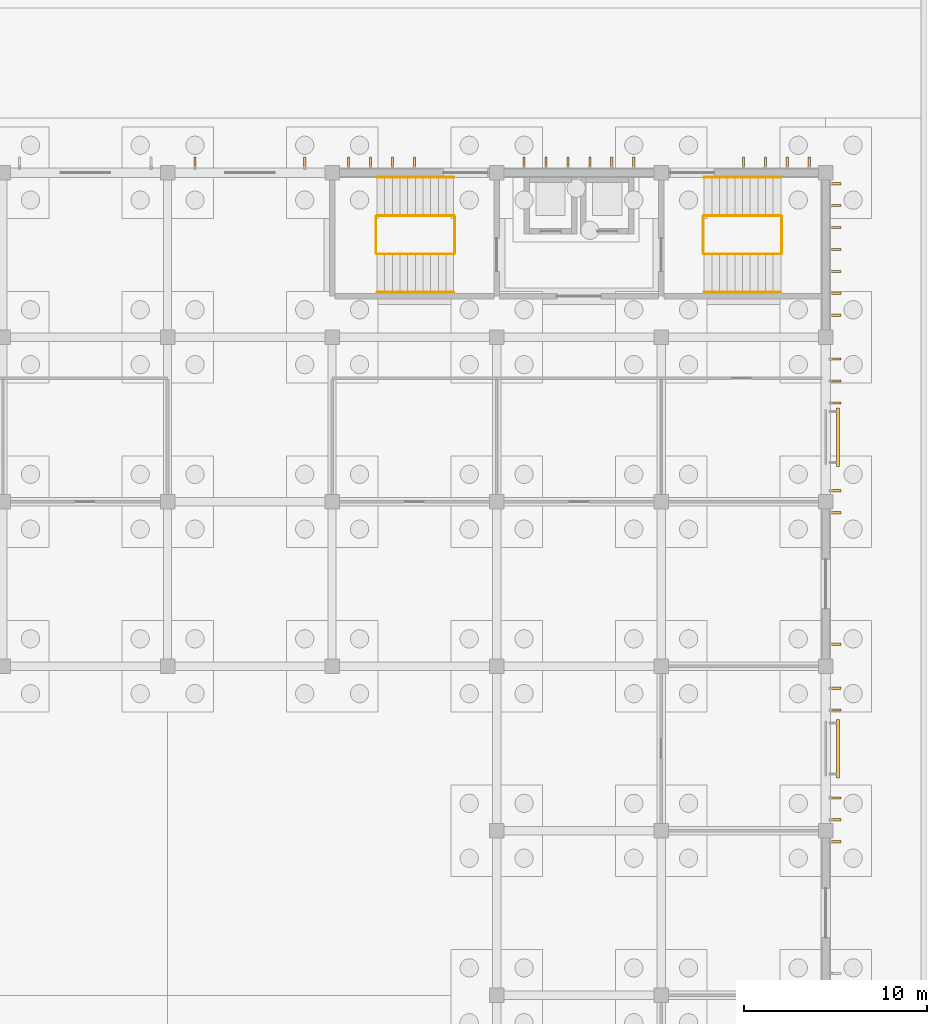
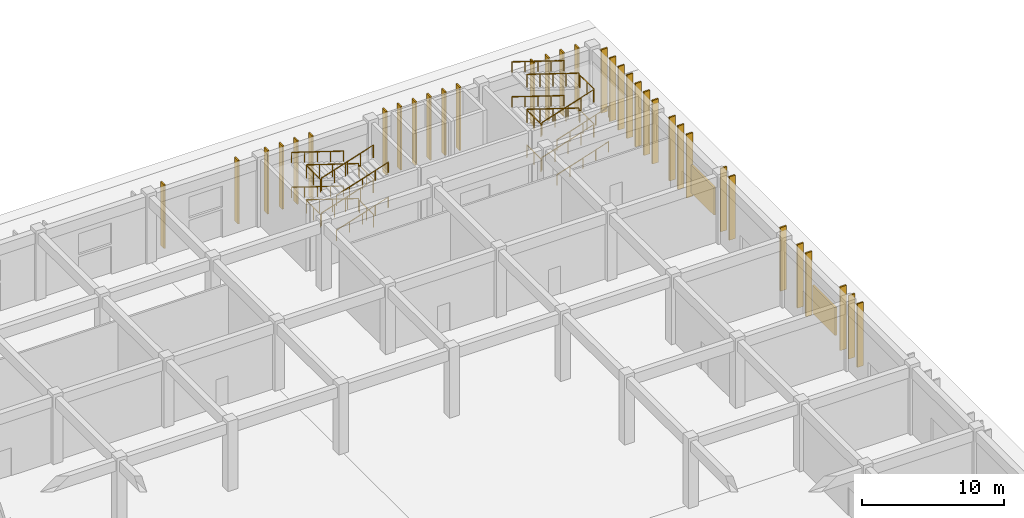
# One storey, part 197 of 198: 34 coverings, 24 railings, 2 shading devices.
"""IFC4 building model written with IfcOpenShell, lengths in metres."""

from ifc_helpers import new_model, si_unit, direction, frame, origin, origin_2d, place, context, subcontext, project, spatial, rectangle, circle, extrude, material, layer, layer_set, constituent, constituent_set, type_object, element, save


model = new_model("IFC4")

# Units and contexts
model_context = context("Model", 3, precision=1e-05, world=origin(), true_north=direction((0.0, 1.0)))
body_context = subcontext(model_context, "Body", "Model", "MODEL_VIEW")
ifc_project = project(units=[si_unit("LENGTHUNIT", "METRE"), si_unit("AREAUNIT", "SQUARE_METRE"), si_unit("VOLUMEUNIT", "CUBIC_METRE"), si_unit("PLANEANGLEUNIT", "RADIAN"), si_unit("MASSUNIT", "GRAM", prefix="KILO")], contexts=[model_context])

# Site, building, storey
site_placement = place(None, origin())
site = spatial("IfcSite", under=ifc_project, at=site_placement, CompositionType="ELEMENT")
building_placement = place(site_placement, origin())
building = spatial("IfcBuilding", under=site, at=building_placement, Name="Opaline Strait Convention Centre", CompositionType="ELEMENT")
storey_placement = place(building_placement, origin())
storey = spatial("IfcBuildingStorey", under=building, at=storey_placement, Name="L00", CompositionType="ELEMENT", Elevation=0.0)

# Railings
ifc_material_1 = material(Name="Steel Q235B", Category="steel")
ifc_constituent_1 = constituent(ifc_material_1, Name="Frame")
ifc_material_2 = material(Name="Safety glass, bonded interlayer", Category="glass")
ifc_constituent_2 = constituent(ifc_material_2, Name="Infill")
ifc_constituent_set = constituent_set(constituents=[ifc_constituent_1, ifc_constituent_2], Name="Steel Q235B, Safety glass, bonded interlayer")
railing_type_1 = type_object("IfcRailingType", Name="Guard 1100 steel and glass", PredefinedType="GUARDRAIL", material=ifc_constituent_set)
railing_1_placement = place(storey_placement, frame((353.349853515625, 175.5498046875, 0.136474609375)))
element("IfcRailing", 1, at=railing_1_placement, inside=storey, type_object=railing_type_1, Name="L00 S7 stair guard 1", PredefinedType="GUARDRAIL", context=body_context, shape_type="SweptSolid", body=[
    extrude(circle(Radius=0.02392578125, at=origin_2d()), frame((0.0, 0.0, 1.076171875), z_axis=(0.951131128591, 0.0, 0.308787266941), x_axis=(0.0, 1.0, 0.0)), (0.0, 0.0, 1.0), 4.415771484375),
    extrude(circle(Radius=0.02099609375, at=origin_2d()), origin(), (0.0, 0.0, 1.0), 1.052001953125),
    extrude(circle(Radius=0.02099609375, at=origin_2d()), frame((1.050048828125, 0.0, 0.3408203125)), (0.0, 0.0, 1.0), 1.052001953125),
    extrude(circle(Radius=0.02099609375, at=origin_2d()), frame((2.10009765625, 0.0, 0.681640625)), (0.0, 0.0, 1.0), 1.052001953125),
    extrude(circle(Radius=0.02099609375, at=origin_2d()), frame((3.14990234375, 0.0, 1.022705078125)), (0.0, 0.0, 1.0), 1.052001953125),
    extrude(circle(Radius=0.02099609375, at=origin_2d()), frame((4.199951171875, 0.0, 1.363525390625)), (0.0, 0.0, 1.0), 1.052001953125),
])
railing_2_placement = place(storey_placement, frame((357.599853515625, 175.599853515625, 1.5)))
element("IfcRailing", 2, at=railing_2_placement, inside=storey, type_object=railing_type_1, Name="L00 S7 stair guard 2", PredefinedType="GUARDRAIL", context=body_context, shape_type="SweptSolid", body=[
    extrude(circle(Radius=0.02392578125, at=origin_2d()), frame((0.0, 0.0, 1.076171875), z_axis=(0.0, 1.0, 0.0), x_axis=(-1.0, 0.0, 0.0)), (0.0, 0.0, 1.0), 2.0),
    extrude(circle(Radius=0.02099609375, at=origin_2d()), origin(), (0.0, 0.0, 1.0), 1.052001953125),
    extrude(circle(Radius=0.02099609375, at=origin_2d()), frame((0.0, 1.0, 0.0)), (0.0, 0.0, 1.0), 1.052001953125),
    extrude(circle(Radius=0.02099609375, at=origin_2d()), frame((0.0, 2.0, 0.0)), (0.0, 0.0, 1.0), 1.052001953125),
])
railing_3_placement = place(storey_placement, frame((357.5498046875, 177.64990234375, 1.636474609375)))
element("IfcRailing", 3, at=railing_3_placement, inside=storey, type_object=railing_type_1, Name="L00 S7 stair guard 3", PredefinedType="GUARDRAIL", context=body_context, shape_type="SweptSolid", body=[
    extrude(circle(Radius=0.02392578125, at=origin_2d()), frame((0.0, 0.0, 1.076171875), z_axis=(-0.951131128591, 0.0, 0.308787266941), x_axis=(0.0, -1.0, 0.0)), (0.0, 0.0, 1.0), 4.415771484375),
    extrude(circle(Radius=0.02099609375, at=origin_2d()), origin(), (0.0, 0.0, 1.0), 1.052001953125),
    extrude(circle(Radius=0.02099609375, at=origin_2d()), frame((-1.050048828125, 0.0, 0.3408203125)), (0.0, 0.0, 1.0), 1.052001953125),
    extrude(circle(Radius=0.02099609375, at=origin_2d()), frame((-2.10009765625, 0.0, 0.681640625)), (0.0, 0.0, 1.0), 1.052001953125),
    extrude(circle(Radius=0.02099609375, at=origin_2d()), frame((-3.14990234375, 0.0, 1.022705078125)), (0.0, 0.0, 1.0), 1.052001953125),
    extrude(circle(Radius=0.02099609375, at=origin_2d()), frame((-4.199951171875, 0.0, 1.363525390625)), (0.0, 0.0, 1.0), 1.052001953125),
])
railing_4_placement = place(storey_placement, frame((353.2998046875, 175.599853515625, 3.0)))
element("IfcRailing", 4, at=railing_4_placement, inside=storey, type_object=railing_type_1, Name="L00 S7 stair guard 4", PredefinedType="GUARDRAIL", context=body_context, shape_type="SweptSolid", body=[
    extrude(circle(Radius=0.02392578125, at=origin_2d()), frame((0.0, 0.0, 1.076171875), z_axis=(0.0, 1.0, 0.0), x_axis=(-1.0, 0.0, 0.0)), (0.0, 0.0, 1.0), 2.0),
    extrude(circle(Radius=0.02099609375, at=origin_2d()), origin(), (0.0, 0.0, 1.0), 1.052001953125),
    extrude(circle(Radius=0.02099609375, at=origin_2d()), frame((0.0, 1.0, 0.0)), (0.0, 0.0, 1.0), 1.052001953125),
    extrude(circle(Radius=0.02099609375, at=origin_2d()), frame((0.0, 2.0, 0.0)), (0.0, 0.0, 1.0), 1.052001953125),
])
railing_5_placement = place(storey_placement, frame((353.349853515625, 175.5498046875, 3.136474609375)))
element("IfcRailing", 5, at=railing_5_placement, inside=storey, type_object=railing_type_1, Name="L00 S7 stair guard 5", PredefinedType="GUARDRAIL", context=body_context, shape_type="SweptSolid", body=[
    extrude(circle(Radius=0.02392578125, at=origin_2d()), frame((0.0, 0.0, 1.076171875), z_axis=(0.951131128591, 0.0, 0.308787266941), x_axis=(0.0, 1.0, 0.0)), (0.0, 0.0, 1.0), 4.415771484375),
    extrude(circle(Radius=0.02099609375, at=origin_2d()), origin(), (0.0, 0.0, 1.0), 1.052001953125),
    extrude(circle(Radius=0.02099609375, at=origin_2d()), frame((1.050048828125, 0.0, 0.3408203125)), (0.0, 0.0, 1.0), 1.052001953125),
    extrude(circle(Radius=0.02099609375, at=origin_2d()), frame((2.10009765625, 0.0, 0.681640625)), (0.0, 0.0, 1.0), 1.052001953125),
    extrude(circle(Radius=0.02099609375, at=origin_2d()), frame((3.14990234375, 0.0, 1.022705078125)), (0.0, 0.0, 1.0), 1.052001953125),
    extrude(circle(Radius=0.02099609375, at=origin_2d()), frame((4.199951171875, 0.0, 1.363525390625)), (0.0, 0.0, 1.0), 1.052001953125),
])
railing_6_placement = place(storey_placement, frame((357.599853515625, 175.599853515625, 4.5)))
element("IfcRailing", 6, at=railing_6_placement, inside=storey, type_object=railing_type_1, Name="L00 S7 stair guard 6", PredefinedType="GUARDRAIL", context=body_context, shape_type="SweptSolid", body=[
    extrude(circle(Radius=0.02392578125, at=origin_2d()), frame((0.0, 0.0, 1.076171875), z_axis=(0.0, 1.0, 0.0), x_axis=(-1.0, 0.0, 0.0)), (0.0, 0.0, 1.0), 2.0),
    extrude(circle(Radius=0.02099609375, at=origin_2d()), origin(), (0.0, 0.0, 1.0), 1.052001953125),
    extrude(circle(Radius=0.02099609375, at=origin_2d()), frame((0.0, 1.0, 0.0)), (0.0, 0.0, 1.0), 1.052001953125),
    extrude(circle(Radius=0.02099609375, at=origin_2d()), frame((0.0, 2.0, 0.0)), (0.0, 0.0, 1.0), 1.052001953125),
])
railing_7_placement = place(storey_placement, frame((357.5498046875, 177.64990234375, 4.636474609375)))
element("IfcRailing", 7, at=railing_7_placement, inside=storey, type_object=railing_type_1, Name="L00 S7 stair guard 7", PredefinedType="GUARDRAIL", context=body_context, shape_type="SweptSolid", body=[
    extrude(circle(Radius=0.02392578125, at=origin_2d()), frame((0.0, 0.0, 1.076171875), z_axis=(-0.951131128591, 0.0, 0.308787266941), x_axis=(0.0, -1.0, 0.0)), (0.0, 0.0, 1.0), 4.415771484375),
    extrude(circle(Radius=0.02099609375, at=origin_2d()), origin(), (0.0, 0.0, 1.0), 1.052001953125),
    extrude(circle(Radius=0.02099609375, at=origin_2d()), frame((-1.050048828125, 0.0, 0.3408203125)), (0.0, 0.0, 1.0), 1.052001953125),
    extrude(circle(Radius=0.02099609375, at=origin_2d()), frame((-2.10009765625, 0.0, 0.681640625)), (0.0, 0.0, 1.0), 1.052001953125),
    extrude(circle(Radius=0.02099609375, at=origin_2d()), frame((-3.14990234375, 0.0, 1.022705078125)), (0.0, 0.0, 1.0), 1.052001953125),
    extrude(circle(Radius=0.02099609375, at=origin_2d()), frame((-4.199951171875, 0.0, 1.363525390625)), (0.0, 0.0, 1.0), 1.052001953125),
])
railing_8_placement = place(storey_placement, frame((353.2998046875, 175.599853515625, 0.0)))
element("IfcRailing", 8, at=railing_8_placement, inside=storey, type_object=railing_type_1, Name="L00 S7 stair guard 8", PredefinedType="GUARDRAIL", context=body_context, shape_type="SweptSolid", body=[
    extrude(circle(Radius=0.02392578125, at=origin_2d()), frame((0.0, 0.0, 1.076171875), z_axis=(0.0, 1.0, 0.0), x_axis=(-1.0, 0.0, 0.0)), (0.0, 0.0, 1.0), 2.0),
    extrude(circle(Radius=0.02099609375, at=origin_2d()), origin(), (0.0, 0.0, 1.0), 1.052001953125),
    extrude(circle(Radius=0.02099609375, at=origin_2d()), frame((0.0, 1.0, 0.0)), (0.0, 0.0, 1.0), 1.052001953125),
    extrude(circle(Radius=0.02099609375, at=origin_2d()), frame((0.0, 2.0, 0.0)), (0.0, 0.0, 1.0), 1.052001953125),
])
railing_9_placement = place(storey_placement, frame((339.650146484375, 177.650146484375, 0.136474609375)))
element("IfcRailing", 9, at=railing_9_placement, inside=storey, type_object=railing_type_1, Name="L00 S8 stair guard 1", PredefinedType="GUARDRAIL", context=body_context, shape_type="SweptSolid", body=[
    extrude(circle(Radius=0.02392578125, at=origin_2d()), frame((0.0, 0.0, 1.076171875), z_axis=(-0.951131128591, 0.0, 0.308787266941), x_axis=(0.0, -1.0, 0.0)), (0.0, 0.0, 1.0), 4.415771484375),
    extrude(circle(Radius=0.02099609375, at=origin_2d()), origin(), (0.0, 0.0, 1.0), 1.052001953125),
    extrude(circle(Radius=0.02099609375, at=origin_2d()), frame((-1.050048828125, 0.0, 0.3408203125)), (0.0, 0.0, 1.0), 1.052001953125),
    extrude(circle(Radius=0.02099609375, at=origin_2d()), frame((-2.10009765625, 0.0, 0.681640625)), (0.0, 0.0, 1.0), 1.052001953125),
    extrude(circle(Radius=0.02099609375, at=origin_2d()), frame((-3.14990234375, 0.0, 1.022705078125)), (0.0, 0.0, 1.0), 1.052001953125),
    extrude(circle(Radius=0.02099609375, at=origin_2d()), frame((-4.199951171875, 0.0, 1.363525390625)), (0.0, 0.0, 1.0), 1.052001953125),
])
railing_10_placement = place(storey_placement, frame((335.400146484375, 177.60009765625, 1.5)))
element("IfcRailing", 10, at=railing_10_placement, inside=storey, type_object=railing_type_1, Name="L00 S8 stair guard 2", PredefinedType="GUARDRAIL", context=body_context, shape_type="SweptSolid", body=[
    extrude(circle(Radius=0.02392578125, at=origin_2d()), frame((0.0, 0.0, 1.076171875), z_axis=(0.0, -1.0, 0.0), x_axis=(1.0, 0.0, 0.0)), (0.0, 0.0, 1.0), 2.0),
    extrude(circle(Radius=0.02099609375, at=origin_2d()), origin(), (0.0, 0.0, 1.0), 1.052001953125),
    extrude(circle(Radius=0.02099609375, at=origin_2d()), frame((0.0, -1.0, 0.0)), (0.0, 0.0, 1.0), 1.052001953125),
    extrude(circle(Radius=0.02099609375, at=origin_2d()), frame((0.0, -2.0, 0.0)), (0.0, 0.0, 1.0), 1.052001953125),
])
railing_11_placement = place(storey_placement, frame((335.4501953125, 175.550048828125, 1.636474609375)))
element("IfcRailing", 11, at=railing_11_placement, inside=storey, type_object=railing_type_1, Name="L00 S8 stair guard 3", PredefinedType="GUARDRAIL", context=body_context, shape_type="SweptSolid", body=[
    extrude(circle(Radius=0.02392578125, at=origin_2d()), frame((0.0, 0.0, 1.076171875), z_axis=(0.951131128591, 0.0, 0.308787266941), x_axis=(0.0, 1.0, 0.0)), (0.0, 0.0, 1.0), 4.415771484375),
    extrude(circle(Radius=0.02099609375, at=origin_2d()), origin(), (0.0, 0.0, 1.0), 1.052001953125),
    extrude(circle(Radius=0.02099609375, at=origin_2d()), frame((1.050048828125, 0.0, 0.3408203125)), (0.0, 0.0, 1.0), 1.052001953125),
    extrude(circle(Radius=0.02099609375, at=origin_2d()), frame((2.10009765625, 0.0, 0.681640625)), (0.0, 0.0, 1.0), 1.052001953125),
    extrude(circle(Radius=0.02099609375, at=origin_2d()), frame((3.14990234375, 0.0, 1.022705078125)), (0.0, 0.0, 1.0), 1.052001953125),
    extrude(circle(Radius=0.02099609375, at=origin_2d()), frame((4.199951171875, 0.0, 1.363525390625)), (0.0, 0.0, 1.0), 1.052001953125),
])
railing_12_placement = place(storey_placement, frame((339.7001953125, 177.60009765625, 3.0)))
element("IfcRailing", 12, at=railing_12_placement, inside=storey, type_object=railing_type_1, Name="L00 S8 stair guard 4", PredefinedType="GUARDRAIL", context=body_context, shape_type="SweptSolid", body=[
    extrude(circle(Radius=0.02392578125, at=origin_2d()), frame((0.0, 0.0, 1.076171875), z_axis=(0.0, -1.0, 0.0), x_axis=(1.0, 0.0, 0.0)), (0.0, 0.0, 1.0), 2.0),
    extrude(circle(Radius=0.02099609375, at=origin_2d()), origin(), (0.0, 0.0, 1.0), 1.052001953125),
    extrude(circle(Radius=0.02099609375, at=origin_2d()), frame((0.0, -1.0, 0.0)), (0.0, 0.0, 1.0), 1.052001953125),
    extrude(circle(Radius=0.02099609375, at=origin_2d()), frame((0.0, -2.0, 0.0)), (0.0, 0.0, 1.0), 1.052001953125),
])
railing_13_placement = place(storey_placement, frame((339.650146484375, 177.650146484375, 3.136474609375)))
element("IfcRailing", 13, at=railing_13_placement, inside=storey, type_object=railing_type_1, Name="L00 S8 stair guard 5", PredefinedType="GUARDRAIL", context=body_context, shape_type="SweptSolid", body=[
    extrude(circle(Radius=0.02392578125, at=origin_2d()), frame((0.0, 0.0, 1.076171875), z_axis=(-0.951131128591, 0.0, 0.308787266941), x_axis=(0.0, -1.0, 0.0)), (0.0, 0.0, 1.0), 4.415771484375),
    extrude(circle(Radius=0.02099609375, at=origin_2d()), origin(), (0.0, 0.0, 1.0), 1.052001953125),
    extrude(circle(Radius=0.02099609375, at=origin_2d()), frame((-1.050048828125, 0.0, 0.3408203125)), (0.0, 0.0, 1.0), 1.052001953125),
    extrude(circle(Radius=0.02099609375, at=origin_2d()), frame((-2.10009765625, 0.0, 0.681640625)), (0.0, 0.0, 1.0), 1.052001953125),
    extrude(circle(Radius=0.02099609375, at=origin_2d()), frame((-3.14990234375, 0.0, 1.022705078125)), (0.0, 0.0, 1.0), 1.052001953125),
    extrude(circle(Radius=0.02099609375, at=origin_2d()), frame((-4.199951171875, 0.0, 1.363525390625)), (0.0, 0.0, 1.0), 1.052001953125),
])
railing_14_placement = place(storey_placement, frame((335.400146484375, 177.60009765625, 4.5)))
element("IfcRailing", 14, at=railing_14_placement, inside=storey, type_object=railing_type_1, Name="L00 S8 stair guard 6", PredefinedType="GUARDRAIL", context=body_context, shape_type="SweptSolid", body=[
    extrude(circle(Radius=0.02392578125, at=origin_2d()), frame((0.0, 0.0, 1.076171875), z_axis=(0.0, -1.0, 0.0), x_axis=(1.0, 0.0, 0.0)), (0.0, 0.0, 1.0), 2.0),
    extrude(circle(Radius=0.02099609375, at=origin_2d()), origin(), (0.0, 0.0, 1.0), 1.052001953125),
    extrude(circle(Radius=0.02099609375, at=origin_2d()), frame((0.0, -1.0, 0.0)), (0.0, 0.0, 1.0), 1.052001953125),
    extrude(circle(Radius=0.02099609375, at=origin_2d()), frame((0.0, -2.0, 0.0)), (0.0, 0.0, 1.0), 1.052001953125),
])
railing_15_placement = place(storey_placement, frame((335.4501953125, 175.550048828125, 4.636474609375)))
element("IfcRailing", 15, at=railing_15_placement, inside=storey, type_object=railing_type_1, Name="L00 S8 stair guard 7", PredefinedType="GUARDRAIL", context=body_context, shape_type="SweptSolid", body=[
    extrude(circle(Radius=0.02392578125, at=origin_2d()), frame((0.0, 0.0, 1.076171875), z_axis=(0.951131128591, 0.0, 0.308787266941), x_axis=(0.0, 1.0, 0.0)), (0.0, 0.0, 1.0), 4.415771484375),
    extrude(circle(Radius=0.02099609375, at=origin_2d()), origin(), (0.0, 0.0, 1.0), 1.052001953125),
    extrude(circle(Radius=0.02099609375, at=origin_2d()), frame((1.050048828125, 0.0, 0.3408203125)), (0.0, 0.0, 1.0), 1.052001953125),
    extrude(circle(Radius=0.02099609375, at=origin_2d()), frame((2.10009765625, 0.0, 0.681640625)), (0.0, 0.0, 1.0), 1.052001953125),
    extrude(circle(Radius=0.02099609375, at=origin_2d()), frame((3.14990234375, 0.0, 1.022705078125)), (0.0, 0.0, 1.0), 1.052001953125),
    extrude(circle(Radius=0.02099609375, at=origin_2d()), frame((4.199951171875, 0.0, 1.363525390625)), (0.0, 0.0, 1.0), 1.052001953125),
])
railing_16_placement = place(storey_placement, frame((339.7001953125, 177.60009765625, 0.0)))
element("IfcRailing", 16, at=railing_16_placement, inside=storey, type_object=railing_type_1, Name="L00 S8 stair guard 8", PredefinedType="GUARDRAIL", context=body_context, shape_type="SweptSolid", body=[
    extrude(circle(Radius=0.02392578125, at=origin_2d()), frame((0.0, 0.0, 1.076171875), z_axis=(0.0, -1.0, 0.0), x_axis=(1.0, 0.0, 0.0)), (0.0, 0.0, 1.0), 2.0),
    extrude(circle(Radius=0.02099609375, at=origin_2d()), origin(), (0.0, 0.0, 1.0), 1.052001953125),
    extrude(circle(Radius=0.02099609375, at=origin_2d()), frame((0.0, -1.0, 0.0)), (0.0, 0.0, 1.0), 1.052001953125),
    extrude(circle(Radius=0.02099609375, at=origin_2d()), frame((0.0, -2.0, 0.0)), (0.0, 0.0, 1.0), 1.052001953125),
])
ifc_material_3 = material(Name="Stainless steel 304", Category="steel")
railing_type_2 = type_object("IfcRailingType", Name="Stair handrail 900 stainless steel", PredefinedType="HANDRAIL", material=ifc_material_3)
railing_17_placement = place(storey_placement, frame((353.349853515625, 173.449951171875, 0.136474609375)))
element("IfcRailing", 17, at=railing_17_placement, inside=storey, type_object=railing_type_2, Name="L00 S7 stair handrail 1", PredefinedType="HANDRAIL", context=body_context, shape_type="SweptSolid", body=[
    extrude(circle(Radius=0.02392578125, at=origin_2d()), frame((0.0, 0.0, 0.8759765625), z_axis=(0.951131128591, 0.0, 0.308787266941), x_axis=(0.0, 1.0, 0.0)), (0.0, 0.0, 1.0), 4.415771484375),
    extrude(circle(Radius=0.02099609375, at=origin_2d()), origin(), (0.0, 0.0, 1.0), 0.851806640625),
    extrude(circle(Radius=0.02099609375, at=origin_2d()), frame((1.050048828125, 0.0, 0.3408203125)), (0.0, 0.0, 1.0), 0.851806640625),
    extrude(circle(Radius=0.02099609375, at=origin_2d()), frame((2.10009765625, 0.0, 0.681640625)), (0.0, 0.0, 1.0), 0.851806640625),
    extrude(circle(Radius=0.02099609375, at=origin_2d()), frame((3.14990234375, 0.0, 1.022705078125)), (0.0, 0.0, 1.0), 0.851806640625),
    extrude(circle(Radius=0.02099609375, at=origin_2d()), frame((4.199951171875, 0.0, 1.363525390625)), (0.0, 0.0, 1.0), 0.851806640625),
])
railing_18_placement = place(storey_placement, frame((357.5498046875, 179.75, 1.636474609375)))
element("IfcRailing", 18, at=railing_18_placement, inside=storey, type_object=railing_type_2, Name="L00 S7 stair handrail 2", PredefinedType="HANDRAIL", context=body_context, shape_type="SweptSolid", body=[
    extrude(circle(Radius=0.02392578125, at=origin_2d()), frame((0.0, 0.0, 0.8759765625), z_axis=(-0.951131128591, 0.0, 0.308787266941), x_axis=(0.0, -1.0, 0.0)), (0.0, 0.0, 1.0), 4.415771484375),
    extrude(circle(Radius=0.02099609375, at=origin_2d()), origin(), (0.0, 0.0, 1.0), 0.851806640625),
    extrude(circle(Radius=0.02099609375, at=origin_2d()), frame((-1.050048828125, 0.0, 0.3408203125)), (0.0, 0.0, 1.0), 0.851806640625),
    extrude(circle(Radius=0.02099609375, at=origin_2d()), frame((-2.10009765625, 0.0, 0.681640625)), (0.0, 0.0, 1.0), 0.851806640625),
    extrude(circle(Radius=0.02099609375, at=origin_2d()), frame((-3.14990234375, 0.0, 1.022705078125)), (0.0, 0.0, 1.0), 0.851806640625),
    extrude(circle(Radius=0.02099609375, at=origin_2d()), frame((-4.199951171875, 0.0, 1.363525390625)), (0.0, 0.0, 1.0), 0.851806640625),
])
railing_19_placement = place(storey_placement, frame((353.349853515625, 173.449951171875, 3.136474609375)))
element("IfcRailing", 19, at=railing_19_placement, inside=storey, type_object=railing_type_2, Name="L00 S7 stair handrail 3", PredefinedType="HANDRAIL", context=body_context, shape_type="SweptSolid", body=[
    extrude(circle(Radius=0.02392578125, at=origin_2d()), frame((0.0, 0.0, 0.8759765625), z_axis=(0.951131128591, 0.0, 0.308787266941), x_axis=(0.0, 1.0, 0.0)), (0.0, 0.0, 1.0), 4.415771484375),
    extrude(circle(Radius=0.02099609375, at=origin_2d()), origin(), (0.0, 0.0, 1.0), 0.851806640625),
    extrude(circle(Radius=0.02099609375, at=origin_2d()), frame((1.050048828125, 0.0, 0.3408203125)), (0.0, 0.0, 1.0), 0.851806640625),
    extrude(circle(Radius=0.02099609375, at=origin_2d()), frame((2.10009765625, 0.0, 0.681640625)), (0.0, 0.0, 1.0), 0.851806640625),
    extrude(circle(Radius=0.02099609375, at=origin_2d()), frame((3.14990234375, 0.0, 1.022705078125)), (0.0, 0.0, 1.0), 0.851806640625),
    extrude(circle(Radius=0.02099609375, at=origin_2d()), frame((4.199951171875, 0.0, 1.363525390625)), (0.0, 0.0, 1.0), 0.851806640625),
])
for number, where, name in (
    (20, (357.5498046875, 179.75, 4.636474609375), "L00 S7 stair handrail 4"),
    (21, (339.650146484375, 179.75, 0.136474609375), "L00 S8 stair handrail 1"),
):
    element("IfcRailing", number, at=place(storey_placement, frame(where)), inside=storey, type_object=railing_type_2, Name=name, PredefinedType="HANDRAIL", context=body_context, shape_type="SweptSolid", body=[
        extrude(circle(Radius=0.02392578125, at=origin_2d()), frame((0.0, 0.0, 0.8759765625), z_axis=(-0.951131128591, 0.0, 0.308787266941), x_axis=(0.0, -1.0, 0.0)), (0.0, 0.0, 1.0), 4.415771484375),
        extrude(circle(Radius=0.02099609375, at=origin_2d()), origin(), (0.0, 0.0, 1.0), 0.851806640625),
        extrude(circle(Radius=0.02099609375, at=origin_2d()), frame((-1.050048828125, 0.0, 0.3408203125)), (0.0, 0.0, 1.0), 0.851806640625),
        extrude(circle(Radius=0.02099609375, at=origin_2d()), frame((-2.10009765625, 0.0, 0.681640625)), (0.0, 0.0, 1.0), 0.851806640625),
        extrude(circle(Radius=0.02099609375, at=origin_2d()), frame((-3.14990234375, 0.0, 1.022705078125)), (0.0, 0.0, 1.0), 0.851806640625),
        extrude(circle(Radius=0.02099609375, at=origin_2d()), frame((-4.199951171875, 0.0, 1.363525390625)), (0.0, 0.0, 1.0), 0.851806640625),
    ])
railing_20_placement = place(storey_placement, frame((335.4501953125, 173.449951171875, 1.636474609375)))
element("IfcRailing", 22, at=railing_20_placement, inside=storey, type_object=railing_type_2, Name="L00 S8 stair handrail 2", PredefinedType="HANDRAIL", context=body_context, shape_type="SweptSolid", body=[
    extrude(circle(Radius=0.02392578125, at=origin_2d()), frame((0.0, 0.0, 0.8759765625), z_axis=(0.951131128591, 0.0, 0.308787266941), x_axis=(0.0, 1.0, 0.0)), (0.0, 0.0, 1.0), 4.415771484375),
    extrude(circle(Radius=0.02099609375, at=origin_2d()), origin(), (0.0, 0.0, 1.0), 0.851806640625),
    extrude(circle(Radius=0.02099609375, at=origin_2d()), frame((1.050048828125, 0.0, 0.3408203125)), (0.0, 0.0, 1.0), 0.851806640625),
    extrude(circle(Radius=0.02099609375, at=origin_2d()), frame((2.10009765625, 0.0, 0.681640625)), (0.0, 0.0, 1.0), 0.851806640625),
    extrude(circle(Radius=0.02099609375, at=origin_2d()), frame((3.14990234375, 0.0, 1.022705078125)), (0.0, 0.0, 1.0), 0.851806640625),
    extrude(circle(Radius=0.02099609375, at=origin_2d()), frame((4.199951171875, 0.0, 1.363525390625)), (0.0, 0.0, 1.0), 0.851806640625),
])
railing_21_placement = place(storey_placement, frame((339.650146484375, 179.75, 3.136474609375)))
element("IfcRailing", 23, at=railing_21_placement, inside=storey, type_object=railing_type_2, Name="L00 S8 stair handrail 3", PredefinedType="HANDRAIL", context=body_context, shape_type="SweptSolid", body=[
    extrude(circle(Radius=0.02392578125, at=origin_2d()), frame((0.0, 0.0, 0.8759765625), z_axis=(-0.951131128591, 0.0, 0.308787266941), x_axis=(0.0, -1.0, 0.0)), (0.0, 0.0, 1.0), 4.415771484375),
    extrude(circle(Radius=0.02099609375, at=origin_2d()), origin(), (0.0, 0.0, 1.0), 0.851806640625),
    extrude(circle(Radius=0.02099609375, at=origin_2d()), frame((-1.050048828125, 0.0, 0.3408203125)), (0.0, 0.0, 1.0), 0.851806640625),
    extrude(circle(Radius=0.02099609375, at=origin_2d()), frame((-2.10009765625, 0.0, 0.681640625)), (0.0, 0.0, 1.0), 0.851806640625),
    extrude(circle(Radius=0.02099609375, at=origin_2d()), frame((-3.14990234375, 0.0, 1.022705078125)), (0.0, 0.0, 1.0), 0.851806640625),
    extrude(circle(Radius=0.02099609375, at=origin_2d()), frame((-4.199951171875, 0.0, 1.363525390625)), (0.0, 0.0, 1.0), 0.851806640625),
])
railing_22_placement = place(storey_placement, frame((335.4501953125, 173.449951171875, 4.636474609375)))
element("IfcRailing", 24, at=railing_22_placement, inside=storey, type_object=railing_type_2, Name="L00 S8 stair handrail 4", PredefinedType="HANDRAIL", context=body_context, shape_type="SweptSolid", body=[
    extrude(circle(Radius=0.02392578125, at=origin_2d()), frame((0.0, 0.0, 0.8759765625), z_axis=(0.951131128591, 0.0, 0.308787266941), x_axis=(0.0, 1.0, 0.0)), (0.0, 0.0, 1.0), 4.415771484375),
    extrude(circle(Radius=0.02099609375, at=origin_2d()), origin(), (0.0, 0.0, 1.0), 0.851806640625),
    extrude(circle(Radius=0.02099609375, at=origin_2d()), frame((1.050048828125, 0.0, 0.3408203125)), (0.0, 0.0, 1.0), 0.851806640625),
    extrude(circle(Radius=0.02099609375, at=origin_2d()), frame((2.10009765625, 0.0, 0.681640625)), (0.0, 0.0, 1.0), 0.851806640625),
    extrude(circle(Radius=0.02099609375, at=origin_2d()), frame((3.14990234375, 0.0, 1.022705078125)), (0.0, 0.0, 1.0), 0.851806640625),
    extrude(circle(Radius=0.02099609375, at=origin_2d()), frame((4.199951171875, 0.0, 1.363525390625)), (0.0, 0.0, 1.0), 0.851806640625),
])

# Shading devices
ifc_material_4 = material(Name="Aluminium alloy 6063-T5", Category="aluminium")
ifc_layer_1 = layer(ifc_material_4, 0.14990234375)
ifc_layer_set_1 = layer_set([ifc_layer_1], Name="Aluminium alloy 6063-T5")
shading_device_type = type_object("IfcShadingDeviceType", Name="Storm louvre 3200 x 2400 aluminium", PredefinedType="JALOUSIE", material=ifc_layer_set_1)
for number, where, z_axis, x_axis, name in (
    (25, (360.675048828125, 148.5, 0.75), (0.0, 0.0, 1.0), (1.0, 0.0, 0.0), "Storm louvre L00"),
    (26, (360.675048828125, 165.53759765625, 0.75), (0.0, 0.0, 1.0), (1.0, 0.0, 0.0), "Storm louvre L00"),
):
    element("IfcShadingDevice", number, at=place(storey_placement, frame(where, z_axis=z_axis, x_axis=x_axis)), inside=storey, type_object=shading_device_type, Name=name, PredefinedType="JALOUSIE", context=body_context, shape_type="SweptSolid", body=[
        extrude(rectangle(XDim=0.14990234375, YDim=3.199951171875, at=origin_2d()), origin(), (0.0, 0.0, 1.0), 2.39990234375),
    ])

# Coverings
ifc_layer_2 = layer(ifc_material_4, 0.1201171875)
ifc_layer_set_2 = layer_set([ifc_layer_2], Name="Aluminium alloy 6063-T5")
covering_type = type_object("IfcCoveringType", Name="Storm louvre fin 120 x 500 aluminium", PredefinedType="CLADDING", material=ifc_layer_set_2)
for number, where, z_axis, x_axis, name in (
    (27, (325.5, 180.60009765625, 0.25), (0.0, 0.0, 1.0), (1.0, 0.0, 0.0), "Storm louvre fin N L00"),
    (28, (331.5, 180.60009765625, 0.25), (0.0, 0.0, 1.0), (1.0, 0.0, 0.0), "Storm louvre fin N L00"),
    (29, (333.89990234375, 180.60009765625, 0.25), (0.0, 0.0, 1.0), (1.0, 0.0, 0.0), "Storm louvre fin N L00"),
    (30, (335.10009765625, 180.60009765625, 0.25), (0.0, 0.0, 1.0), (1.0, 0.0, 0.0), "Storm louvre fin N L00"),
    (31, (336.300048828125, 180.60009765625, 0.25), (0.0, 0.0, 1.0), (1.0, 0.0, 0.0), "Storm louvre fin N L00"),
    (32, (337.5, 180.60009765625, 0.25), (0.0, 0.0, 1.0), (1.0, 0.0, 0.0), "Storm louvre fin N L00"),
    (33, (343.5, 180.60009765625, 0.25), (0.0, 0.0, 1.0), (1.0, 0.0, 0.0), "Storm louvre fin N L00"),
    (34, (344.699951171875, 180.60009765625, 0.25), (0.0, 0.0, 1.0), (1.0, 0.0, 0.0), "Storm louvre fin N L00"),
    (35, (345.89990234375, 180.60009765625, 0.25), (0.0, 0.0, 1.0), (1.0, 0.0, 0.0), "Storm louvre fin N L00"),
    (36, (347.10009765625, 180.60009765625, 0.25), (0.0, 0.0, 1.0), (1.0, 0.0, 0.0), "Storm louvre fin N L00"),
    (37, (348.300048828125, 180.60009765625, 0.25), (0.0, 0.0, 1.0), (1.0, 0.0, 0.0), "Storm louvre fin N L00"),
    (38, (349.5, 180.60009765625, 0.25), (0.0, 0.0, 1.0), (1.0, 0.0, 0.0), "Storm louvre fin N L00"),
    (39, (355.5, 180.60009765625, 0.25), (0.0, 0.0, 1.0), (1.0, 0.0, 0.0), "Storm louvre fin N L00"),
    (40, (356.699951171875, 180.60009765625, 0.25), (0.0, 0.0, 1.0), (1.0, 0.0, 0.0), "Storm louvre fin N L00"),
    (41, (357.89990234375, 180.60009765625, 0.25), (0.0, 0.0, 1.0), (1.0, 0.0, 0.0), "Storm louvre fin N L00"),
    (42, (359.10009765625, 180.60009765625, 0.25), (0.0, 0.0, 1.0), (1.0, 0.0, 0.0), "Storm louvre fin N L00"),
):
    element("IfcCovering", number, at=place(storey_placement, frame(where, z_axis=z_axis, x_axis=x_axis)), inside=storey, type_object=covering_type, Name=name, PredefinedType="CLADDING", context=body_context, shape_type="SweptSolid", body=[
        extrude(rectangle(XDim=0.1201171875, YDim=0.5, at=origin_2d()), origin(), (0.0, 0.0, 1.0), 5.449951171875),
    ])
for number, where, z_axis, x_axis, name in (
    (43, (360.60009765625, 143.39990234375, 0.25), (0.0, 0.0, 1.0), (1.0, 0.0, 0.0), "Storm louvre fin E L00"),
    (44, (360.60009765625, 144.60009765625, 0.25), (0.0, 0.0, 1.0), (1.0, 0.0, 0.0), "Storm louvre fin E L00"),
    (45, (360.60009765625, 145.800048828125, 0.25), (0.0, 0.0, 1.0), (1.0, 0.0, 0.0), "Storm louvre fin E L00"),
    (46, (360.60009765625, 150.60009765625, 0.25), (0.0, 0.0, 1.0), (1.0, 0.0, 0.0), "Storm louvre fin E L00"),
    (47, (360.60009765625, 151.800048828125, 0.25), (0.0, 0.0, 1.0), (1.0, 0.0, 0.0), "Storm louvre fin E L00"),
    (48, (360.60009765625, 154.199951171875, 0.25), (0.0, 0.0, 1.0), (1.0, 0.0, 0.0), "Storm louvre fin E L00"),
    (49, (360.60009765625, 161.39990234375, 0.25), (0.0, 0.0, 1.0), (1.0, 0.0, 0.0), "Storm louvre fin E L00"),
    (50, (360.60009765625, 162.60009765625, 0.25), (0.0, 0.0, 1.0), (1.0, 0.0, 0.0), "Storm louvre fin E L00"),
    (51, (360.60009765625, 167.39990234375, 0.25), (0.0, 0.0, 1.0), (1.0, 0.0, 0.0), "Storm louvre fin E L00"),
    (52, (360.60009765625, 168.60009765625, 0.25), (0.0, 0.0, 1.0), (1.0, 0.0, 0.0), "Storm louvre fin E L00"),
    (53, (360.60009765625, 169.800048828125, 0.25), (0.0, 0.0, 1.0), (1.0, 0.0, 0.0), "Storm louvre fin E L00"),
    (54, (360.60009765625, 172.199951171875, 0.25), (0.0, 0.0, 1.0), (1.0, 0.0, 0.0), "Storm louvre fin E L00"),
    (55, (360.60009765625, 173.39990234375, 0.25), (0.0, 0.0, 1.0), (1.0, 0.0, 0.0), "Storm louvre fin E L00"),
    (56, (360.60009765625, 174.60009765625, 0.25), (0.0, 0.0, 1.0), (1.0, 0.0, 0.0), "Storm louvre fin E L00"),
    (57, (360.60009765625, 175.800048828125, 0.25), (0.0, 0.0, 1.0), (1.0, 0.0, 0.0), "Storm louvre fin E L00"),
    (58, (360.60009765625, 177.0, 0.25), (0.0, 0.0, 1.0), (1.0, 0.0, 0.0), "Storm louvre fin E L00"),
    (59, (360.60009765625, 178.199951171875, 0.25), (0.0, 0.0, 1.0), (1.0, 0.0, 0.0), "Storm louvre fin E L00"),
    (60, (360.60009765625, 179.39990234375, 0.25), (0.0, 0.0, 1.0), (1.0, 0.0, 0.0), "Storm louvre fin E L00"),
):
    element("IfcCovering", number, at=place(storey_placement, frame(where, z_axis=z_axis, x_axis=x_axis)), inside=storey, type_object=covering_type, Name=name, PredefinedType="CLADDING", context=body_context, shape_type="SweptSolid", body=[
        extrude(rectangle(XDim=0.5, YDim=0.1201171875, at=origin_2d()), origin(), (0.0, 0.0, 1.0), 5.449951171875),
    ])

save(model, "model.ifc")
